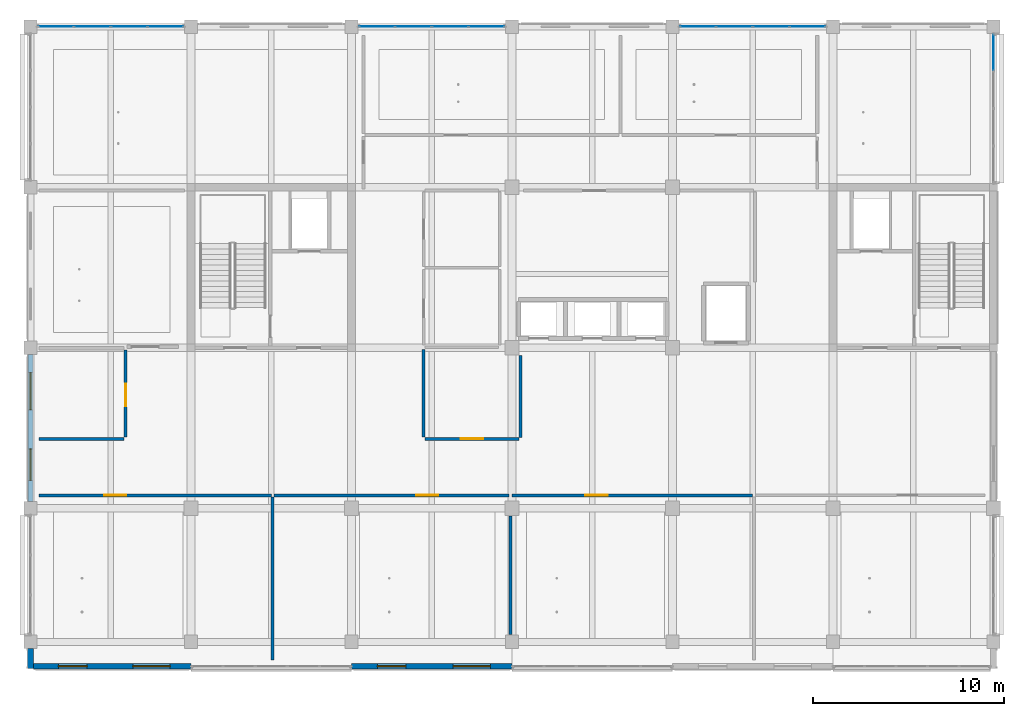
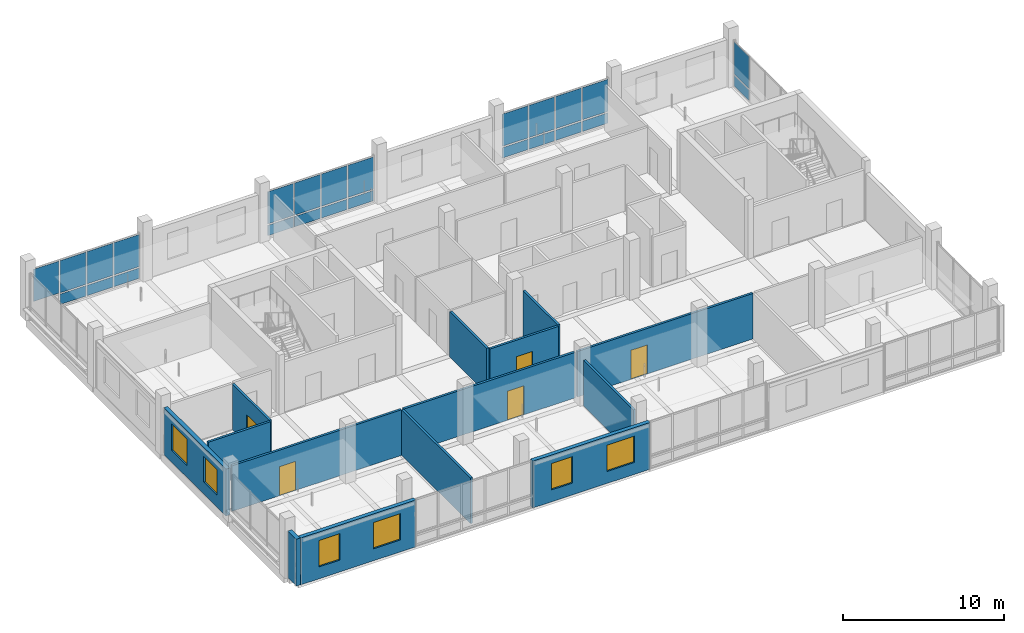
# One storey, part 11 of 32: 25 plates, 14 walls, 6 windows, 5 doors, 11 openings, 4 elements without a shape of their own.
"""IFC4 building model written with IfcOpenShell, lengths in metres."""

from ifc_helpers import new_model, si_unit, direction, frame, frame_2d, origin, origin_2d, place, context, subcontext, project, spatial, rectangle, extrude, material, layer, layer_set, type_object, element, fill, aggregate, save


model = new_model("IFC4")

# Units and contexts
model_context = context("Model", 3, precision=1e-05, world=origin(), true_north=direction((0.0, 1.0)))
body_context = subcontext(model_context, "Body", "Model", "MODEL_VIEW")
ifc_project = project(units=[si_unit("LENGTHUNIT", "METRE"), si_unit("AREAUNIT", "SQUARE_METRE"), si_unit("VOLUMEUNIT", "CUBIC_METRE"), si_unit("PLANEANGLEUNIT", "RADIAN"), si_unit("MASSUNIT", "GRAM", prefix="KILO")], contexts=[model_context])

# Site, building, storey
site_placement = place(None, origin())
site = spatial("IfcSite", under=ifc_project, at=site_placement, CompositionType="ELEMENT")
building_placement = place(site_placement, origin())
building = spatial("IfcBuilding", under=site, at=building_placement, Name="Telukmera Botanical Conservatory", CompositionType="ELEMENT")
storey_placement = place(building_placement, frame((0.0, 0.0, 42.0)))
storey = spatial("IfcBuildingStorey", under=building, at=storey_placement, Name="L09", CompositionType="ELEMENT", Elevation=42.0)

# Curtain wall, plates
ifc_material_1 = material(Name="Anodised aluminium 6063-T6", Category="aluminium")
ifc_layer_1 = layer(ifc_material_1, 0.179931640625)
ifc_layer_set_1 = layer_set([ifc_layer_1], Name="Anodised aluminium 6063-T6")
curtain_wall_type = type_object("IfcCurtainWallType", Name="Tower Research Laboratory Unitised Curtain Wall", PredefinedType="USERDEFINED", material=ifc_layer_set_1)
curtain_wall_1_placement = place(storey_placement, origin())
curtain_wall_1 = element("IfcCurtainWall", 1, at=curtain_wall_1_placement, inside=storey, type_object=curtain_wall_type, Name="Unitised Curtain Wall CW15 V4:L09:N1", ObjectType="UNITISED CURTAIN WALL", PredefinedType="USERDEFINED")
ifc_material_2 = material(Name="Spectrally selective low-E double glazing", Category="glass")
ifc_layer_2 = layer(ifc_material_2, 0.028076171875)
ifc_layer_set_2 = layer_set([ifc_layer_2], Name="Spectrally selective low-E double glazing")
plate_type = type_object("IfcPlateType", Name="Spectrally Selective Vision Double Glazing Panel 28", PredefinedType="CURTAIN_PANEL", material=ifc_layer_set_2)
plate_1_placement = place(storey_placement, frame((51.72900390625, 42.800048828125, 1.0048828125), z_axis=(0.0, 0.0, 1.0), x_axis=(1.0, 0.0, 0.0)))
plate_1 = element("IfcPlate", 2, at=plate_1_placement, type_object=plate_type, Name="CW15 panel 1.2", PredefinedType="CURTAIN_PANEL", context=body_context, shape_type="SweptSolid", body=[
    extrude(rectangle(XDim=1.833984375, YDim=0.028076171875, at=origin_2d()), origin(), (0.0, 0.0, 1.0), 2.43505859375),
])
plate_2_placement = place(storey_placement, frame((53.637939453125, 42.800048828125, 0.10986328125), z_axis=(0.0, 0.0, 1.0), x_axis=(1.0, 0.0, 0.0)))
plate_2 = element("IfcPlate", 3, at=plate_2_placement, type_object=plate_type, Name="CW15 panel 2.1", PredefinedType="CURTAIN_PANEL", context=body_context, shape_type="SweptSolid", body=[
    extrude(rectangle(XDim=1.864013671875, YDim=0.028076171875, at=origin_2d()), origin(), (0.0, 0.0, 1.0), 0.784912109375),
])
plate_3_placement = place(storey_placement, frame((53.637939453125, 42.800048828125, 1.0048828125), z_axis=(0.0, 0.0, 1.0), x_axis=(1.0, 0.0, 0.0)))
plate_3 = element("IfcPlate", 4, at=plate_3_placement, type_object=plate_type, Name="CW15 panel 2.2", PredefinedType="CURTAIN_PANEL", context=body_context, shape_type="SweptSolid", body=[
    extrude(rectangle(XDim=1.864013671875, YDim=0.028076171875, at=origin_2d()), origin(), (0.0, 0.0, 1.0), 2.43505859375),
])
plate_4_placement = place(storey_placement, frame((55.56201171875, 42.800048828125, 0.10986328125), z_axis=(0.0, 0.0, 1.0), x_axis=(1.0, 0.0, 0.0)))
plate_4 = element("IfcPlate", 5, at=plate_4_placement, type_object=plate_type, Name="CW15 panel 3.1", PredefinedType="CURTAIN_PANEL", context=body_context, shape_type="SweptSolid", body=[
    extrude(rectangle(XDim=1.864013671875, YDim=0.028076171875, at=origin_2d()), origin(), (0.0, 0.0, 1.0), 0.784912109375),
])
plate_5_placement = place(storey_placement, frame((55.56201171875, 42.800048828125, 1.0048828125), z_axis=(0.0, 0.0, 1.0), x_axis=(1.0, 0.0, 0.0)))
plate_5 = element("IfcPlate", 6, at=plate_5_placement, type_object=plate_type, Name="CW15 panel 3.2", PredefinedType="CURTAIN_PANEL", context=body_context, shape_type="SweptSolid", body=[
    extrude(rectangle(XDim=1.864013671875, YDim=0.028076171875, at=origin_2d()), origin(), (0.0, 0.0, 1.0), 2.43505859375),
])
plate_6_placement = place(storey_placement, frame((57.470947265625, 42.800048828125, 0.10986328125), z_axis=(0.0, 0.0, 1.0), x_axis=(1.0, 0.0, 0.0)))
plate_6 = element("IfcPlate", 7, at=plate_6_placement, type_object=plate_type, Name="CW15 panel 4.1", PredefinedType="CURTAIN_PANEL", context=body_context, shape_type="SweptSolid", body=[
    extrude(rectangle(XDim=1.833984375, YDim=0.028076171875, at=origin_2d()), origin(), (0.0, 0.0, 1.0), 0.784912109375),
])
plate_7_placement = place(storey_placement, frame((57.470947265625, 42.800048828125, 1.0048828125), z_axis=(0.0, 0.0, 1.0), x_axis=(1.0, 0.0, 0.0)))
plate_7 = element("IfcPlate", 8, at=plate_7_placement, type_object=plate_type, Name="CW15 panel 4.2", PredefinedType="CURTAIN_PANEL", context=body_context, shape_type="SweptSolid", body=[
    extrude(rectangle(XDim=1.833984375, YDim=0.028076171875, at=origin_2d()), origin(), (0.0, 0.0, 1.0), 2.43505859375),
])
aggregate(curtain_wall_1, [plate_1, plate_2, plate_3, plate_4, plate_5, plate_6, plate_7])

curtain_wall_2_placement = place(storey_placement, origin())
curtain_wall_2 = element("IfcCurtainWall", 9, at=curtain_wall_2_placement, inside=storey, type_object=curtain_wall_type, Name="Unitised Curtain Wall CW15 V4:L09:N3", ObjectType="UNITISED CURTAIN WALL", PredefinedType="USERDEFINED")
plate_8_placement = place(storey_placement, frame((68.529052734375, 42.800048828125, 0.10986328125), z_axis=(0.0, 0.0, 1.0), x_axis=(1.0, 0.0, 0.0)))
plate_8 = element("IfcPlate", 10, at=plate_8_placement, type_object=plate_type, Name="CW15 panel 1.1", PredefinedType="CURTAIN_PANEL", context=body_context, shape_type="SweptSolid", body=[
    extrude(rectangle(XDim=1.833984375, YDim=0.028076171875, at=origin_2d()), origin(), (0.0, 0.0, 1.0), 0.784912109375),
])
plate_9_placement = place(storey_placement, frame((68.529052734375, 42.800048828125, 1.0048828125), z_axis=(0.0, 0.0, 1.0), x_axis=(1.0, 0.0, 0.0)))
plate_9 = element("IfcPlate", 11, at=plate_9_placement, type_object=plate_type, Name="CW15 panel 1.2", PredefinedType="CURTAIN_PANEL", context=body_context, shape_type="SweptSolid", body=[
    extrude(rectangle(XDim=1.833984375, YDim=0.028076171875, at=origin_2d()), origin(), (0.0, 0.0, 1.0), 2.43505859375),
])
plate_10_placement = place(storey_placement, frame((70.43798828125, 42.800048828125, 0.10986328125), z_axis=(0.0, 0.0, 1.0), x_axis=(1.0, 0.0, 0.0)))
plate_10 = element("IfcPlate", 12, at=plate_10_placement, type_object=plate_type, Name="CW15 panel 2.1", PredefinedType="CURTAIN_PANEL", context=body_context, shape_type="SweptSolid", body=[
    extrude(rectangle(XDim=1.864013671875, YDim=0.028076171875, at=origin_2d()), origin(), (0.0, 0.0, 1.0), 0.784912109375),
])
plate_11_placement = place(storey_placement, frame((70.43798828125, 42.800048828125, 1.0048828125), z_axis=(0.0, 0.0, 1.0), x_axis=(1.0, 0.0, 0.0)))
plate_11 = element("IfcPlate", 13, at=plate_11_placement, type_object=plate_type, Name="CW15 panel 2.2", PredefinedType="CURTAIN_PANEL", context=body_context, shape_type="SweptSolid", body=[
    extrude(rectangle(XDim=1.864013671875, YDim=0.028076171875, at=origin_2d()), origin(), (0.0, 0.0, 1.0), 2.43505859375),
])
plate_12_placement = place(storey_placement, frame((72.362060546875, 42.800048828125, 0.10986328125), z_axis=(0.0, 0.0, 1.0), x_axis=(1.0, 0.0, 0.0)))
plate_12 = element("IfcPlate", 14, at=plate_12_placement, type_object=plate_type, Name="CW15 panel 3.1", PredefinedType="CURTAIN_PANEL", context=body_context, shape_type="SweptSolid", body=[
    extrude(rectangle(XDim=1.864013671875, YDim=0.028076171875, at=origin_2d()), origin(), (0.0, 0.0, 1.0), 0.784912109375),
])
plate_13_placement = place(storey_placement, frame((72.362060546875, 42.800048828125, 1.0048828125), z_axis=(0.0, 0.0, 1.0), x_axis=(1.0, 0.0, 0.0)))
plate_13 = element("IfcPlate", 15, at=plate_13_placement, type_object=plate_type, Name="CW15 panel 3.2", PredefinedType="CURTAIN_PANEL", context=body_context, shape_type="SweptSolid", body=[
    extrude(rectangle(XDim=1.864013671875, YDim=0.028076171875, at=origin_2d()), origin(), (0.0, 0.0, 1.0), 2.43505859375),
])
plate_14_placement = place(storey_placement, frame((74.27099609375, 42.800048828125, 0.10986328125), z_axis=(0.0, 0.0, 1.0), x_axis=(1.0, 0.0, 0.0)))
plate_14 = element("IfcPlate", 16, at=plate_14_placement, type_object=plate_type, Name="CW15 panel 4.1", PredefinedType="CURTAIN_PANEL", context=body_context, shape_type="SweptSolid", body=[
    extrude(rectangle(XDim=1.833984375, YDim=0.028076171875, at=origin_2d()), origin(), (0.0, 0.0, 1.0), 0.784912109375),
])
plate_15_placement = place(storey_placement, frame((74.27099609375, 42.800048828125, 1.0048828125), z_axis=(0.0, 0.0, 1.0), x_axis=(1.0, 0.0, 0.0)))
plate_15 = element("IfcPlate", 17, at=plate_15_placement, type_object=plate_type, Name="CW15 panel 4.2", PredefinedType="CURTAIN_PANEL", context=body_context, shape_type="SweptSolid", body=[
    extrude(rectangle(XDim=1.833984375, YDim=0.028076171875, at=origin_2d()), origin(), (0.0, 0.0, 1.0), 2.43505859375),
])
aggregate(curtain_wall_2, [plate_8, plate_9, plate_10, plate_11, plate_12, plate_13, plate_14, plate_15])

curtain_wall_3_placement = place(storey_placement, origin())
curtain_wall_3 = element("IfcCurtainWall", 18, at=curtain_wall_3_placement, inside=storey, type_object=curtain_wall_type, Name="Unitised Curtain Wall CW15 V4:L09:N5", ObjectType="UNITISED CURTAIN WALL", PredefinedType="USERDEFINED")
plate_16_placement = place(storey_placement, frame((85.3291015625, 42.800048828125, 0.10986328125), z_axis=(0.0, 0.0, 1.0), x_axis=(1.0, 0.0, 0.0)))
plate_16 = element("IfcPlate", 19, at=plate_16_placement, type_object=plate_type, Name="CW15 panel 1.1", PredefinedType="CURTAIN_PANEL", context=body_context, shape_type="SweptSolid", body=[
    extrude(rectangle(XDim=1.833984375, YDim=0.028076171875, at=origin_2d()), origin(), (0.0, 0.0, 1.0), 0.784912109375),
])
plate_17_placement = place(storey_placement, frame((85.3291015625, 42.800048828125, 1.0048828125), z_axis=(0.0, 0.0, 1.0), x_axis=(1.0, 0.0, 0.0)))
plate_17 = element("IfcPlate", 20, at=plate_17_placement, type_object=plate_type, Name="CW15 panel 1.2", PredefinedType="CURTAIN_PANEL", context=body_context, shape_type="SweptSolid", body=[
    extrude(rectangle(XDim=1.833984375, YDim=0.028076171875, at=origin_2d()), origin(), (0.0, 0.0, 1.0), 2.43505859375),
])
plate_18_placement = place(storey_placement, frame((87.238037109375, 42.800048828125, 0.10986328125), z_axis=(0.0, 0.0, 1.0), x_axis=(1.0, 0.0, 0.0)))
plate_18 = element("IfcPlate", 21, at=plate_18_placement, type_object=plate_type, Name="CW15 panel 2.1", PredefinedType="CURTAIN_PANEL", context=body_context, shape_type="SweptSolid", body=[
    extrude(rectangle(XDim=1.864013671875, YDim=0.028076171875, at=origin_2d()), origin(), (0.0, 0.0, 1.0), 0.784912109375),
])
plate_19_placement = place(storey_placement, frame((87.238037109375, 42.800048828125, 1.0048828125), z_axis=(0.0, 0.0, 1.0), x_axis=(1.0, 0.0, 0.0)))
plate_19 = element("IfcPlate", 22, at=plate_19_placement, type_object=plate_type, Name="CW15 panel 2.2", PredefinedType="CURTAIN_PANEL", context=body_context, shape_type="SweptSolid", body=[
    extrude(rectangle(XDim=1.864013671875, YDim=0.028076171875, at=origin_2d()), origin(), (0.0, 0.0, 1.0), 2.43505859375),
])
plate_20_placement = place(storey_placement, frame((89.162109375, 42.800048828125, 0.10986328125), z_axis=(0.0, 0.0, 1.0), x_axis=(1.0, 0.0, 0.0)))
plate_20 = element("IfcPlate", 23, at=plate_20_placement, type_object=plate_type, Name="CW15 panel 3.1", PredefinedType="CURTAIN_PANEL", context=body_context, shape_type="SweptSolid", body=[
    extrude(rectangle(XDim=1.864013671875, YDim=0.028076171875, at=origin_2d()), origin(), (0.0, 0.0, 1.0), 0.784912109375),
])
plate_21_placement = place(storey_placement, frame((89.162109375, 42.800048828125, 1.0048828125), z_axis=(0.0, 0.0, 1.0), x_axis=(1.0, 0.0, 0.0)))
plate_21 = element("IfcPlate", 24, at=plate_21_placement, type_object=plate_type, Name="CW15 panel 3.2", PredefinedType="CURTAIN_PANEL", context=body_context, shape_type="SweptSolid", body=[
    extrude(rectangle(XDim=1.864013671875, YDim=0.028076171875, at=origin_2d()), origin(), (0.0, 0.0, 1.0), 2.43505859375),
])
plate_22_placement = place(storey_placement, frame((91.071044921875, 42.800048828125, 0.10986328125), z_axis=(0.0, 0.0, 1.0), x_axis=(1.0, 0.0, 0.0)))
plate_22 = element("IfcPlate", 25, at=plate_22_placement, type_object=plate_type, Name="CW15 panel 4.1", PredefinedType="CURTAIN_PANEL", context=body_context, shape_type="SweptSolid", body=[
    extrude(rectangle(XDim=1.833984375, YDim=0.028076171875, at=origin_2d()), origin(), (0.0, 0.0, 1.0), 0.784912109375),
])
plate_23_placement = place(storey_placement, frame((91.071044921875, 42.800048828125, 1.0048828125), z_axis=(0.0, 0.0, 1.0), x_axis=(1.0, 0.0, 0.0)))
plate_23 = element("IfcPlate", 26, at=plate_23_placement, type_object=plate_type, Name="CW15 panel 4.2", PredefinedType="CURTAIN_PANEL", context=body_context, shape_type="SweptSolid", body=[
    extrude(rectangle(XDim=1.833984375, YDim=0.028076171875, at=origin_2d()), origin(), (0.0, 0.0, 1.0), 2.43505859375),
])
aggregate(curtain_wall_3, [plate_16, plate_17, plate_18, plate_19, plate_20, plate_21, plate_22, plate_23])

curtain_wall_4_placement = place(storey_placement, origin())
curtain_wall_4 = element("IfcCurtainWall", 27, at=curtain_wall_4_placement, inside=storey, type_object=curtain_wall_type, Name="Unitised Curtain Wall CW15 V4:L09:E4", ObjectType="UNITISED CURTAIN WALL", PredefinedType="USERDEFINED")
plate_24_placement = place(storey_placement, frame((100.800048828125, 41.4521484375, 0.10986328125), z_axis=(0.0, 0.0, 1.0), x_axis=(0.0, 1.0, 0.0)))
plate_24 = element("IfcPlate", 28, at=plate_24_placement, type_object=plate_type, Name="CW15 panel 4.1", PredefinedType="CURTAIN_PANEL", context=body_context, shape_type="SweptSolid", body=[
    extrude(rectangle(XDim=1.87158203125, YDim=0.028076171875, at=origin_2d()), origin(), (0.0, 0.0, 1.0), 0.784912109375),
])
plate_25_placement = place(storey_placement, frame((100.800048828125, 41.4521484375, 1.0048828125), z_axis=(0.0, 0.0, 1.0), x_axis=(0.0, 1.0, 0.0)))
plate_25 = element("IfcPlate", 29, at=plate_25_placement, type_object=plate_type, Name="CW15 panel 4.2", PredefinedType="CURTAIN_PANEL", context=body_context, shape_type="SweptSolid", body=[
    extrude(rectangle(XDim=1.87158203125, YDim=0.028076171875, at=origin_2d()), origin(), (0.0, 0.0, 1.0), 2.43505859375),
])
aggregate(curtain_wall_4, [plate_24, plate_25])

# Wall, openings, windows
ifc_material_3 = material(Name="Precast concrete C40/50", Category="concrete")
ifc_layer_3 = layer(ifc_material_3, 0.280029296875)
ifc_layer_set_3 = layer_set([ifc_layer_3], Name="Precast concrete C40/50")
wall_type_1 = type_object("IfcWallType", Name="Exterior Laboratory Modular Precast Wall 280", PredefinedType="ELEMENTEDWALL", material=ifc_layer_set_3)
wall_1_placement = place(storey_placement, frame((50.552001953125, 9.320068359375, 0.0), z_axis=(0.0, 0.0, 1.0), x_axis=(1.0, 0.0, 0.0)))
wall_1 = element("IfcWall", 30, at=wall_1_placement, inside=storey, type_object=wall_type_1, Name="Exterior Precast Wall EW06 V4:L09:S1", PredefinedType="ELEMENTEDWALL", context=body_context, shape_type="SweptSolid", body=[
    extrude(rectangle(XDim=8.24609375, YDim=0.280029296875, at=frame_2d((4.123046875, 0.0))), origin(), (0.0, 0.0, 1.0), 3.550048828125),
])
opening_1_placement = place(wall_1_placement, frame((1.3115234375, 0.0, 0.89990234375)))
opening_1 = element("IfcOpeningElement", 31, at=opening_1_placement, cuts=wall_1, Name="Opening W06", PredefinedType="OPENING", context=body_context, shape_type="SweptSolid", body=[
    extrude(rectangle(XDim=1.5, YDim=2.0, at=frame_2d((0.75, 1.0))), frame((0.0, 0.14990234375, 0.0), z_axis=(0.0, -1.0, 0.0), x_axis=(1.0, 0.0, 0.0)), (0.0, 0.0, 1.0), 0.300048828125),
])
opening_2_placement = place(wall_1_placement, frame((5.20947265625, 0.0, 0.89990234375)))
opening_2 = element("IfcOpeningElement", 32, at=opening_2_placement, cuts=wall_1, Name="Opening W13", PredefinedType="OPENING", context=body_context, shape_type="SweptSolid", body=[
    extrude(rectangle(XDim=1.949951171875, YDim=2.0, at=frame_2d((0.97509765625, 1.0))), frame((0.0, 0.14990234375, 0.0), z_axis=(0.0, -1.0, 0.0), x_axis=(1.0, 0.0, 0.0)), (0.0, 0.0, 1.0), 0.300048828125),
])
ifc_material_4 = material(Name="Thermally broken anodised aluminium frame with low-E double glazing", Category="aluminium")
window_type_1 = type_object("IfcWindowType", Name="Double Vertical Laboratory Viewing Window 1500x2000", PartitioningType="DOUBLE_PANEL_VERTICAL", PredefinedType="WINDOW", material=ifc_material_4)
window_1_placement = place(opening_1_placement, origin())
window_1 = element("IfcWindow", 33, at=window_1_placement, inside=storey, type_object=window_type_1, Name="Facade Window W06 V4:L09:S1 1", OverallHeight=2.0, OverallWidth=1.5, PartitioningType="DOUBLE_PANEL_VERTICAL", PredefinedType="WINDOW", context=body_context, shape_type="SweptSolid", body=[
    extrude(rectangle(XDim=1.5, YDim=2.0, at=frame_2d((0.75, 1.0))), frame((0.0, 0.030029296875, 0.0), z_axis=(0.0, -1.0, 0.0), x_axis=(1.0, 0.0, 0.0)), (0.0, 0.0, 1.0), 0.06005859375),
])
fill(opening_1, window_1)
window_type_2 = type_object("IfcWindowType", Name="Triple Vertical Tissue Culture Lab Window 1950x2000", PartitioningType="TRIPLE_PANEL_VERTICAL", PredefinedType="WINDOW", material=ifc_material_4)
window_2_placement = place(opening_2_placement, origin())
window_2 = element("IfcWindow", 34, at=window_2_placement, inside=storey, type_object=window_type_2, Name="Facade Window W13 V4:L09:S1 2", OverallHeight=2.0, OverallWidth=1.949951171875, PartitioningType="TRIPLE_PANEL_VERTICAL", PredefinedType="WINDOW", context=body_context, shape_type="SweptSolid", body=[
    extrude(rectangle(XDim=1.949951171875, YDim=2.0, at=frame_2d((0.97509765625, 1.0))), frame((0.0, 0.030029296875, 0.0), z_axis=(0.0, -1.0, 0.0), x_axis=(1.0, 0.0, 0.0)), (0.0, 0.0, 1.0), 0.06005859375),
])
fill(opening_2, window_2)

wall_2_placement = place(storey_placement, frame((67.201904296875, 9.320068359375, 0.0), z_axis=(0.0, 0.0, 1.0), x_axis=(1.0, 0.0, 0.0)))
wall_2 = element("IfcWall", 35, at=wall_2_placement, inside=storey, type_object=wall_type_1, Name="Exterior Precast Wall EW06 V4:L09:S3", PredefinedType="ELEMENTEDWALL", context=body_context, shape_type="SweptSolid", body=[
    extrude(rectangle(XDim=8.39599609375, YDim=0.280029296875, at=frame_2d((4.197998046875, 0.0))), origin(), (0.0, 0.0, 1.0), 3.550048828125),
])
opening_3_placement = place(wall_2_placement, frame((1.34912109375, 0.0, 0.89990234375)))
opening_3 = element("IfcOpeningElement", 36, at=opening_3_placement, cuts=wall_2, Name="Opening W06", PredefinedType="OPENING", context=body_context, shape_type="SweptSolid", body=[
    extrude(rectangle(XDim=1.5, YDim=2.0, at=frame_2d((0.75, 1.0))), frame((0.0, 0.14990234375, 0.0), z_axis=(0.0, -1.0, 0.0), x_axis=(1.0, 0.0, 0.0)), (0.0, 0.0, 1.0), 0.300048828125),
])
opening_4_placement = place(wall_2_placement, frame((5.322021484375, 0.0, 0.89990234375)))
opening_4 = element("IfcOpeningElement", 37, at=opening_4_placement, cuts=wall_2, Name="Opening W13", PredefinedType="OPENING", context=body_context, shape_type="SweptSolid", body=[
    extrude(rectangle(XDim=1.949951171875, YDim=2.0, at=frame_2d((0.97509765625, 1.0))), frame((0.0, 0.14990234375, 0.0), z_axis=(0.0, -1.0, 0.0), x_axis=(1.0, 0.0, 0.0)), (0.0, 0.0, 1.0), 0.300048828125),
])
window_3_placement = place(opening_3_placement, origin())
window_3 = element("IfcWindow", 38, at=window_3_placement, inside=storey, type_object=window_type_1, Name="Facade Window W06 V4:L09:S3 1", OverallHeight=2.0, OverallWidth=1.5, PartitioningType="DOUBLE_PANEL_VERTICAL", PredefinedType="WINDOW", context=body_context, shape_type="SweptSolid", body=[
    extrude(rectangle(XDim=1.5, YDim=2.0, at=frame_2d((0.75, 1.0))), frame((0.0, 0.030029296875, 0.0), z_axis=(0.0, -1.0, 0.0), x_axis=(1.0, 0.0, 0.0)), (0.0, 0.0, 1.0), 0.06005859375),
])
fill(opening_3, window_3)
window_4_placement = place(opening_4_placement, origin())
window_4 = element("IfcWindow", 39, at=window_4_placement, inside=storey, type_object=window_type_2, Name="Facade Window W13 V4:L09:S3 2", OverallHeight=2.0, OverallWidth=1.949951171875, PartitioningType="TRIPLE_PANEL_VERTICAL", PredefinedType="WINDOW", context=body_context, shape_type="SweptSolid", body=[
    extrude(rectangle(XDim=1.949951171875, YDim=2.0, at=frame_2d((0.97509765625, 1.0))), frame((0.0, 0.030029296875, 0.0), z_axis=(0.0, -1.0, 0.0), x_axis=(1.0, 0.0, 0.0)), (0.0, 0.0, 1.0), 0.06005859375),
])
fill(opening_4, window_4)

wall_3_placement = place(storey_placement, frame((50.39990234375, 17.951904296875, 0.0), z_axis=(0.0, 0.0, 1.0), x_axis=(0.0, 1.0, 0.0)))
wall_3 = element("IfcWall", 40, at=wall_3_placement, inside=storey, type_object=wall_type_1, Name="Exterior Precast Wall EW06 V4:L09:W2", PredefinedType="ELEMENTEDWALL", context=body_context, shape_type="SweptSolid", body=[
    extrude(rectangle(XDim=7.696044921875, YDim=0.280029296875, at=frame_2d((3.84814453125, 0.0))), origin(), (0.0, 0.0, 1.0), 3.550048828125),
])
opening_5_placement = place(wall_3_placement, frame((1.09912109375, 0.0, 0.89990234375)))
opening_5 = element("IfcOpeningElement", 41, at=opening_5_placement, cuts=wall_3, Name="Opening W10", PredefinedType="OPENING", context=body_context, shape_type="SweptSolid", body=[
    extrude(rectangle(XDim=1.64990234375, YDim=1.949951171875, at=frame_2d((0.824951171875, 0.97509765625))), frame((0.0, 0.14990234375, 0.0), z_axis=(0.0, -1.0, 0.0), x_axis=(1.0, 0.0, 0.0)), (0.0, 0.0, 1.0), 0.300048828125),
])
opening_6_placement = place(wall_3_placement, frame((4.797119140625, 0.0, 0.89990234375)))
opening_6 = element("IfcOpeningElement", 42, at=opening_6_placement, cuts=wall_3, Name="Opening W13", PredefinedType="OPENING", context=body_context, shape_type="SweptSolid", body=[
    extrude(rectangle(XDim=1.949951171875, YDim=2.0, at=frame_2d((0.97509765625, 1.0))), frame((0.0, 0.14990234375, 0.0), z_axis=(0.0, -1.0, 0.0), x_axis=(1.0, 0.0, 0.0)), (0.0, 0.0, 1.0), 0.300048828125),
])
window_type_3 = type_object("IfcWindowType", Name="Double Horizontal Phytochemistry Lab Window 1650x1950", PartitioningType="DOUBLE_PANEL_HORIZONTAL", PredefinedType="WINDOW", material=ifc_material_4)
window_5_placement = place(opening_5_placement, origin())
window_5 = element("IfcWindow", 43, at=window_5_placement, inside=storey, type_object=window_type_3, Name="Facade Window W10 V4:L09:W2 1", OverallHeight=1.949951171875, OverallWidth=1.64990234375, PartitioningType="DOUBLE_PANEL_HORIZONTAL", PredefinedType="WINDOW", context=body_context, shape_type="SweptSolid", body=[
    extrude(rectangle(XDim=1.64990234375, YDim=1.949951171875, at=frame_2d((0.824951171875, 0.97509765625))), frame((0.0, 0.030029296875, 0.0), z_axis=(0.0, -1.0, 0.0), x_axis=(1.0, 0.0, 0.0)), (0.0, 0.0, 1.0), 0.06005859375),
])
fill(opening_5, window_5)
window_6_placement = place(opening_6_placement, origin())
window_6 = element("IfcWindow", 44, at=window_6_placement, inside=storey, type_object=window_type_2, Name="Facade Window W13 V4:L09:W2 2", OverallHeight=2.0, OverallWidth=1.949951171875, PartitioningType="TRIPLE_PANEL_VERTICAL", PredefinedType="WINDOW", context=body_context, shape_type="SweptSolid", body=[
    extrude(rectangle(XDim=1.949951171875, YDim=2.0, at=frame_2d((0.97509765625, 1.0))), frame((0.0, 0.030029296875, 0.0), z_axis=(0.0, -1.0, 0.0), x_axis=(1.0, 0.0, 0.0)), (0.0, 0.0, 1.0), 0.06005859375),
])
fill(opening_6, window_6)

# Walls
ifc_material_5 = material(Name="Terracotta-faced precast concrete C40/50", Category="masonry")
ifc_layer_4 = layer(ifc_material_5, 0.300048828125)
ifc_layer_set_4 = layer_set([ifc_layer_4], Name="Terracotta-faced precast concrete C40/50")
wall_type_2 = type_object("IfcWallType", Name="Exterior Polychrome Terracotta Precast Wall 300", PredefinedType="SOLIDWALL", material=ifc_layer_set_4)
wall_4_placement = place(storey_placement, frame((50.39990234375, 9.199951171875, 0.0), z_axis=(0.0, 0.0, 1.0), x_axis=(0.0, 1.0, 0.0)))
element("IfcWall", 45, at=wall_4_placement, inside=storey, type_object=wall_type_2, Name="Exterior Precast Wall EW02 V4:L09:SWC", PredefinedType="SOLIDWALL", context=body_context, shape_type="SweptSolid", body=[
    extrude(rectangle(XDim=1.048095703125, YDim=0.300048828125, at=frame_2d((0.52392578125, 0.0))), origin(), (0.0, 0.0, 1.0), 3.550048828125),
])
ifc_material_6 = material(Name="Gypsum acoustic stud partition")
ifc_layer_5 = layer(ifc_material_6, 0.159912109375)
ifc_layer_set_5 = layer_set([ifc_layer_5], Name="Gypsum acoustic stud partition")
wall_type_3 = type_object("IfcWallType", Name="WT-LAB-160", PredefinedType="PARTITIONING", material=ifc_layer_set_5)
wall_5_placement = place(storey_placement, frame((76.050048828125, 21.300048828125, 0.0), z_axis=(0.0, 0.0, 1.0), x_axis=(0.0, 1.0, 0.0)))
element("IfcWall", 46, at=wall_5_placement, inside=storey, type_object=wall_type_3, Name="L09 Interior Partition 12", PredefinedType="PARTITIONING", context=body_context, shape_type="SweptSolid", body=[
    extrude(rectangle(XDim=4.294921875, YDim=0.159912109375, at=frame_2d((2.1474609375, 0.0))), origin(), (0.0, 0.0, 1.0), 3.449951171875),
])
wall_6_placement = place(storey_placement, frame((50.85009765625, 21.22509765625, 0.0), z_axis=(0.0, 0.0, 1.0), x_axis=(1.0, 0.0, 0.0)))
element("IfcWall", 47, at=wall_6_placement, inside=storey, type_object=wall_type_3, Name="L09 Interior Partition 13", PredefinedType="PARTITIONING", context=body_context, shape_type="SweptSolid", body=[
    extrude(rectangle(XDim=4.449951171875, YDim=0.159912109375, at=frame_2d((2.22509765625, 0.0))), origin(), (0.0, 0.0, 1.0), 3.449951171875),
])

# Wall, opening, door
wall_7_placement = place(storey_placement, frame((71.050048828125, 21.22509765625, 0.0), z_axis=(0.0, 0.0, 1.0), x_axis=(1.0, 0.0, 0.0)))
wall_7 = element("IfcWall", 48, at=wall_7_placement, inside=storey, type_object=wall_type_3, Name="L09 Interior Partition 14", PredefinedType="PARTITIONING", context=body_context, shape_type="SweptSolid", body=[
    extrude(rectangle(XDim=4.909912109375, YDim=0.159912109375, at=frame_2d((2.455078125, 0.0))), origin(), (0.0, 0.0, 1.0), 3.449951171875),
])
opening_7_placement = place(wall_7_placement, frame((1.875, 0.0, 0.0)))
opening_7 = element("IfcOpeningElement", 49, at=opening_7_placement, cuts=wall_7, Name="Opening ID09", PredefinedType="OPENING", context=body_context, shape_type="SweptSolid", body=[
    extrude(rectangle(XDim=1.159912109375, YDim=2.199951171875, at=frame_2d((0.580078125, 1.10009765625))), frame((0.0, 0.08984375, 0.0), z_axis=(0.0, -1.0, 0.0), x_axis=(1.0, 0.0, 0.0)), (0.0, 0.0, 1.0), 0.179931640625),
])
ifc_material_7 = material(Name="Phenolic faced laboratory fire door")
door_type = type_object("IfcDoorType", Name="DT-LAB-116", OperationType="NOTDEFINED", PredefinedType="DOOR", material=ifc_material_7)
door_1_placement = place(opening_7_placement, origin())
door_1 = element("IfcDoor", 50, at=door_1_placement, inside=storey, type_object=door_type, Name="L09 Central Reagent Prep Room Door", OperationType="SINGLE_SWING_RIGHT", OverallHeight=2.199951171875, OverallWidth=1.159912109375, PredefinedType="DOOR", context=body_context, shape_type="SweptSolid", body=[
    extrude(rectangle(XDim=1.159912109375, YDim=2.199951171875, at=frame_2d((0.580078125, 1.10009765625))), frame((0.0, 0.02490234375, 0.0), z_axis=(0.0, -1.0, 0.0), x_axis=(1.0, 0.0, 0.0)), (0.0, 0.0, 1.0), 0.050048828125),
])
fill(opening_7, door_1)

wall_8_placement = place(storey_placement, frame((50.85009765625, 18.27490234375, 0.0), z_axis=(0.0, 0.0, 1.0), x_axis=(1.0, 0.0, 0.0)))
wall_8 = element("IfcWall", 51, at=wall_8_placement, inside=storey, type_object=wall_type_3, Name="L09 Interior Partition 15", PredefinedType="PARTITIONING", context=body_context, shape_type="SweptSolid", body=[
    extrude(rectangle(XDim=12.14990234375, YDim=0.159912109375, at=frame_2d((6.074951171875, 0.0))), origin(), (0.0, 0.0, 1.0), 3.449951171875),
])
opening_8_placement = place(wall_8_placement, frame((3.39697265625, 0.0, 0.0)))
opening_8 = element("IfcOpeningElement", 52, at=opening_8_placement, cuts=wall_8, Name="Opening ID09", PredefinedType="OPENING", context=body_context, shape_type="SweptSolid", body=[
    extrude(rectangle(XDim=1.159912109375, YDim=2.199951171875, at=frame_2d((0.580078125, 1.10009765625))), frame((0.0, 0.08984375, 0.0), z_axis=(0.0, -1.0, 0.0), x_axis=(1.0, 0.0, 0.0)), (0.0, 0.0, 1.0), 0.179931640625),
])
door_2_placement = place(opening_8_placement, frame((1.159912109375, 0.0, 0.0), z_axis=(0.0, 0.0, 1.0), x_axis=(-1.0, 0.0, 0.0)))
door_2 = element("IfcDoor", 53, at=door_2_placement, inside=storey, type_object=door_type, Name="L09 Research Laboratory Door", OperationType="SINGLE_SWING_LEFT", OverallHeight=2.199951171875, OverallWidth=1.159912109375, PredefinedType="DOOR", context=body_context, shape_type="SweptSolid", body=[
    extrude(rectangle(XDim=1.159912109375, YDim=2.199951171875, at=frame_2d((0.580078125, 1.10009765625))), frame((0.0, 0.02490234375, 0.0), z_axis=(0.0, -1.0, 0.0), x_axis=(1.0, 0.0, 0.0)), (0.0, 0.0, 1.0), 0.050048828125),
])
fill(opening_8, door_2)

wall_9_placement = place(storey_placement, frame((63.14990234375, 18.27490234375, 0.0), z_axis=(0.0, 0.0, 1.0), x_axis=(1.0, 0.0, 0.0)))
wall_9 = element("IfcWall", 54, at=wall_9_placement, inside=storey, type_object=wall_type_3, Name="L09 Interior Partition 16", PredefinedType="PARTITIONING", context=body_context, shape_type="SweptSolid", body=[
    extrude(rectangle(XDim=12.300048828125, YDim=0.159912109375, at=frame_2d((6.14990234375, 0.0))), origin(), (0.0, 0.0, 1.0), 3.449951171875),
])
opening_9_placement = place(wall_9_placement, frame((7.443115234375, 0.0, 0.0)))
opening_9 = element("IfcOpeningElement", 55, at=opening_9_placement, cuts=wall_9, Name="Opening ID09", PredefinedType="OPENING", context=body_context, shape_type="SweptSolid", body=[
    extrude(rectangle(XDim=1.159912109375, YDim=2.199951171875, at=frame_2d((0.580078125, 1.10009765625))), frame((0.0, 0.08984375, 0.0), z_axis=(0.0, -1.0, 0.0), x_axis=(1.0, 0.0, 0.0)), (0.0, 0.0, 1.0), 0.179931640625),
])
door_3_placement = place(opening_9_placement, frame((1.159912109375, 0.0, 0.0), z_axis=(0.0, 0.0, 1.0), x_axis=(-1.0, 0.0, 0.0)))
door_3 = element("IfcDoor", 56, at=door_3_placement, inside=storey, type_object=door_type, Name="L09 Tropical Ecology Laboratory Door", OperationType="SINGLE_SWING_RIGHT", OverallHeight=2.199951171875, OverallWidth=1.159912109375, PredefinedType="DOOR", context=body_context, shape_type="SweptSolid", body=[
    extrude(rectangle(XDim=1.159912109375, YDim=2.199951171875, at=frame_2d((0.580078125, 1.10009765625))), frame((0.0, 0.02490234375, 0.0), z_axis=(0.0, -1.0, 0.0), x_axis=(1.0, 0.0, 0.0)), (0.0, 0.0, 1.0), 0.050048828125),
])
fill(opening_9, door_3)

wall_10_placement = place(storey_placement, frame((75.60009765625, 18.27490234375, 0.0), z_axis=(0.0, 0.0, 1.0), x_axis=(1.0, 0.0, 0.0)))
wall_10 = element("IfcWall", 57, at=wall_10_placement, inside=storey, type_object=wall_type_3, Name="L09 Interior Partition 17", PredefinedType="PARTITIONING", context=body_context, shape_type="SweptSolid", body=[
    extrude(rectangle(XDim=12.599853515625, YDim=0.159912109375, at=frame_2d((6.2998046875, 0.0))), origin(), (0.0, 0.0, 1.0), 3.449951171875),
])
opening_10_placement = place(wall_10_placement, frame((3.8466796875, 0.0, 0.0)))
opening_10 = element("IfcOpeningElement", 58, at=opening_10_placement, cuts=wall_10, Name="Opening ID09", PredefinedType="OPENING", context=body_context, shape_type="SweptSolid", body=[
    extrude(rectangle(XDim=1.159912109375, YDim=2.199951171875, at=frame_2d((0.580078125, 1.10009765625))), frame((0.0, 0.08984375, 0.0), z_axis=(0.0, -1.0, 0.0), x_axis=(1.0, 0.0, 0.0)), (0.0, 0.0, 1.0), 0.179931640625),
])
door_4_placement = place(opening_10_placement, frame((1.159912109375, 0.0, 0.0), z_axis=(0.0, 0.0, 1.0), x_axis=(-1.0, 0.0, 0.0)))
door_4 = element("IfcDoor", 59, at=door_4_placement, inside=storey, type_object=door_type, Name="L09 Mycorrhizal Research Laboratory Door", OperationType="SINGLE_SWING_LEFT", OverallHeight=2.199951171875, OverallWidth=1.159912109375, PredefinedType="DOOR", context=body_context, shape_type="SweptSolid", body=[
    extrude(rectangle(XDim=1.159912109375, YDim=2.199951171875, at=frame_2d((0.580078125, 1.10009765625))), frame((0.0, 0.02490234375, 0.0), z_axis=(0.0, -1.0, 0.0), x_axis=(1.0, 0.0, 0.0)), (0.0, 0.0, 1.0), 0.050048828125),
])
fill(opening_10, door_4)

wall_11_placement = place(storey_placement, frame((55.375, 21.31494140625, 0.0), z_axis=(0.0, 0.0, 1.0), x_axis=(0.0, 1.0, 0.0)))
wall_11 = element("IfcWall", 60, at=wall_11_placement, inside=storey, type_object=wall_type_3, Name="L09 Interior Partition 19", PredefinedType="PARTITIONING", context=body_context, shape_type="SweptSolid", body=[
    extrude(rectangle(XDim=4.56494140625, YDim=0.159912109375, at=frame_2d((2.282470703125, 0.0))), origin(), (0.0, 0.0, 1.0), 3.449951171875),
])
opening_11_placement = place(wall_11_placement, frame((1.626220703125, 0.0, 0.0)))
opening_11 = element("IfcOpeningElement", 61, at=opening_11_placement, cuts=wall_11, Name="Opening ID09", PredefinedType="OPENING", context=body_context, shape_type="SweptSolid", body=[
    extrude(rectangle(XDim=1.159912109375, YDim=2.199951171875, at=frame_2d((0.580078125, 1.10009765625))), frame((0.0, 0.08984375, 0.0), z_axis=(0.0, -1.0, 0.0), x_axis=(1.0, 0.0, 0.0)), (0.0, 0.0, 1.0), 0.179931640625),
])
door_5_placement = place(opening_11_placement, origin())
door_5 = element("IfcDoor", 62, at=door_5_placement, inside=storey, type_object=door_type, Name="L09 West Analytical Prep Room Door", OperationType="SINGLE_SWING_LEFT", OverallHeight=2.199951171875, OverallWidth=1.159912109375, PredefinedType="DOOR", context=body_context, shape_type="SweptSolid", body=[
    extrude(rectangle(XDim=1.159912109375, YDim=2.199951171875, at=frame_2d((0.580078125, 1.10009765625))), frame((0.0, 0.02490234375, 0.0), z_axis=(0.0, -1.0, 0.0), x_axis=(1.0, 0.0, 0.0)), (0.0, 0.0, 1.0), 0.050048828125),
])
fill(opening_11, door_5)

# Walls
wall_12_placement = place(storey_placement, frame((70.97509765625, 21.31494140625, 0.0), z_axis=(0.0, 0.0, 1.0), x_axis=(0.0, 1.0, 0.0)))
element("IfcWall", 63, at=wall_12_placement, inside=storey, type_object=wall_type_3, Name="L09 Interior Partition 20", PredefinedType="PARTITIONING", context=body_context, shape_type="SweptSolid", body=[
    extrude(rectangle(XDim=4.5849609375, YDim=0.159912109375, at=frame_2d((2.29248046875, 0.0))), origin(), (0.0, 0.0, 1.0), 3.449951171875),
])
wall_13_placement = place(storey_placement, frame((63.074951171875, 9.64990234375, 0.0), z_axis=(0.0, 0.0, 1.0), x_axis=(0.0, 1.0, 0.0)))
element("IfcWall", 64, at=wall_13_placement, inside=storey, type_object=wall_type_3, Name="L09 Interior Partition 21", PredefinedType="PARTITIONING", context=body_context, shape_type="SweptSolid", body=[
    extrude(rectangle(XDim=8.53515625, YDim=0.159912109375, at=frame_2d((4.267578125, 0.0))), origin(), (0.0, 0.0, 1.0), 3.449951171875),
])
wall_14_placement = place(storey_placement, frame((75.52490234375, 10.97998046875, 0.0), z_axis=(0.0, 0.0, 1.0), x_axis=(0.0, 1.0, 0.0)))
element("IfcWall", 65, at=wall_14_placement, inside=storey, type_object=wall_type_3, Name="L09 Interior Partition 22", PredefinedType="PARTITIONING", context=body_context, shape_type="SweptSolid", body=[
    extrude(rectangle(XDim=6.215087890625, YDim=0.159912109375, at=frame_2d((3.107421875, 0.0))), origin(), (0.0, 0.0, 1.0), 3.449951171875),
])

save(model, "model.ifc")
